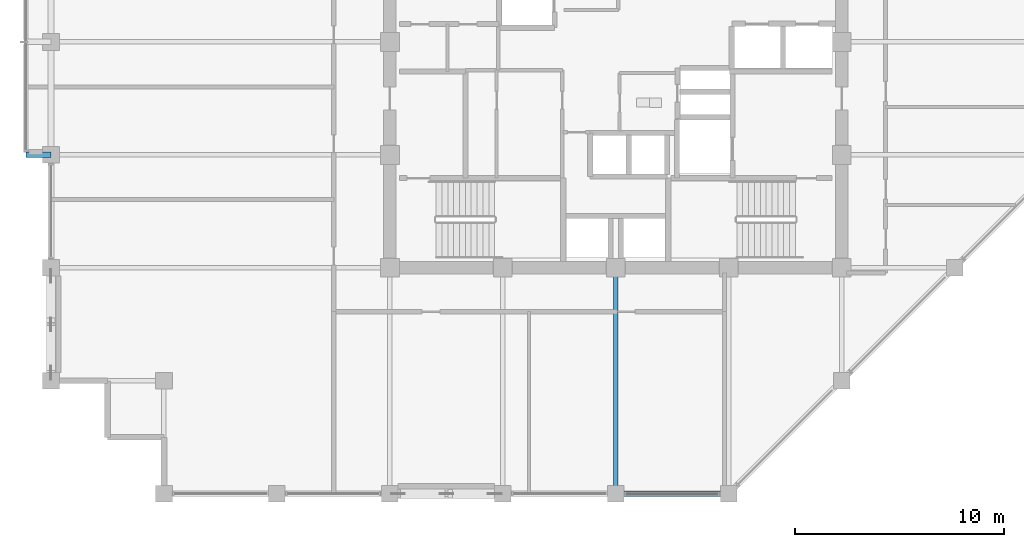
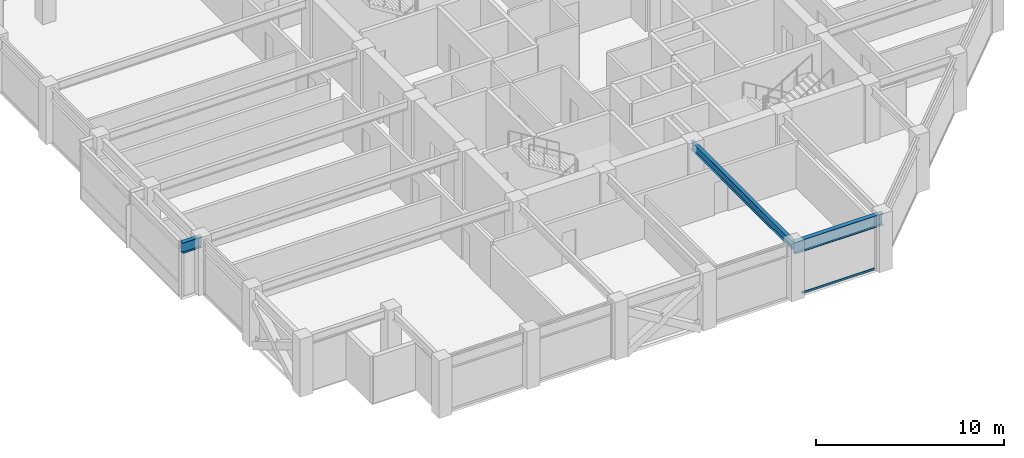
# One storey, part 7 of 32: 3 beams, 1 member, 1 element without a shape of its own.
"""IFC4 building model written with IfcOpenShell, lengths in metres."""

from ifc_helpers import new_model, si_unit, direction, frame, origin, origin_2d, place, context, subcontext, project, spatial, hollow_rectangle, i_section, extrude, material, layer, layer_set, material_profile, profile_set, type_object, element, aggregate, save


model = new_model("IFC4")

# Units and contexts
model_context = context("Model", 3, precision=1e-05, world=origin(), true_north=direction((0.0, 1.0)))
body_context = subcontext(model_context, "Body", "Model", "MODEL_VIEW")
ifc_project = project(units=[si_unit("LENGTHUNIT", "METRE"), si_unit("AREAUNIT", "SQUARE_METRE"), si_unit("VOLUMEUNIT", "CUBIC_METRE"), si_unit("PLANEANGLEUNIT", "RADIAN"), si_unit("MASSUNIT", "GRAM", prefix="KILO")], contexts=[model_context])

# Site, building, storey
site_placement = place(None, origin())
site = spatial("IfcSite", under=ifc_project, at=site_placement, CompositionType="ELEMENT")
building_placement = place(site_placement, origin())
building = spatial("IfcBuilding", under=site, at=building_placement, Name="Surkhivell Harbour Commons", CompositionType="ELEMENT")
storey_placement = place(building_placement, frame((0.0, 0.0, 234.75)))
storey = spatial("IfcBuildingStorey", under=building, at=storey_placement, Name="L61", CompositionType="ELEMENT", Elevation=234.75)

# Beams
ifc_material_1 = material(Name="Steel S460", Category="steel")
ifc_material_profile_1 = material_profile(ifc_material_1, i_section(OverallWidth=0.256103515625, OverallDepth=0.693115234375, WebThickness=0.014404296875, FlangeThickness=0.023681640625, at=origin_2d()), Name="UB686x254x170")
ifc_profile_set_1 = profile_set([ifc_material_profile_1], Name="Steel S460")
beam_type_1 = type_object("IfcBeamType", Name="BM-CNT-686", PredefinedType="BEAM", material=ifc_profile_set_1)
beam_1_placement = place(storey_placement, frame((-27.0, -5.39990234375, 3.223388671875), z_axis=(-1.0, 0.0, 0.0), x_axis=(0.0, -1.0, 0.0)))
element("IfcBeam", 1, at=beam_1_placement, inside=storey, type_object=beam_type_1, Name="L61 Box Cantilever Outrigger (-27.0,-5.4)", PredefinedType="BEAM", context=body_context, shape_type="SweptSolid", body=[
    extrude(i_section(OverallWidth=0.256103515625, OverallDepth=0.693115234375, WebThickness=0.014404296875, FlangeThickness=0.023681640625, at=origin_2d()), origin(), (0.0, 0.0, 1.0), 1.199951171875),
])
ifc_material_2 = material(Name="Steel S355", Category="steel")
ifc_material_profile_2 = material_profile(ifc_material_2, i_section(OverallWidth=0.2119140625, OverallDepth=0.5439453125, WebThickness=0.0126953125, FlangeThickness=0.021240234375, at=origin_2d()), Name="UB533x210x122")
ifc_profile_set_2 = profile_set([ifc_material_profile_2], Name="Steel S355")
beam_type_2 = type_object("IfcBeamType", Name="BM-GRD-533A", PredefinedType="BEAM", material=ifc_profile_set_2)
beam_2_placement = place(storey_placement, frame((0.0, -21.60009765625, 3.298095703125), z_axis=(0.0, 1.0, 0.0), x_axis=(-1.0, 0.0, 0.0)))
element("IfcBeam", 2, at=beam_2_placement, inside=storey, type_object=beam_type_2, Name="L61 Floor Girder (0.0,-21.6)", PredefinedType="BEAM", context=body_context, shape_type="SweptSolid", body=[
    extrude(i_section(OverallWidth=0.2119140625, OverallDepth=0.5439453125, WebThickness=0.0126953125, FlangeThickness=0.021240234375, at=origin_2d()), origin(), (0.0, 0.0, 1.0), 10.800048828125),
])
ifc_material_profile_3 = material_profile(ifc_material_2, i_section(OverallWidth=0.26806640625, OverallDepth=0.77001953125, WebThickness=0.015625, FlangeThickness=0.025390625, at=origin_2d()), Name="UB762x267x197")
ifc_profile_set_3 = profile_set([ifc_material_profile_3], Name="Steel S355")
beam_type_3 = type_object("IfcBeamType", Name="BM-SPN-762", PredefinedType="SPANDREL", material=ifc_profile_set_3)
beam_3_placement = place(storey_placement, frame((0.0, -21.60009765625, 3.18505859375), z_axis=(1.0, 0.0, 0.0), x_axis=(0.0, 1.0, 0.0)))
element("IfcBeam", 3, at=beam_3_placement, inside=storey, type_object=beam_type_3, Name="L61 Tube Spandrel (-0.0,-21.6)", PredefinedType="SPANDREL", context=body_context, shape_type="SweptSolid", body=[
    extrude(i_section(OverallWidth=0.26806640625, OverallDepth=0.77001953125, WebThickness=0.015625, FlangeThickness=0.025390625, at=origin_2d()), origin(), (0.0, 0.0, 1.0), 5.39990234375),
])

# Curtain wall, member
ifc_material_3 = material(Name="Anodised pale-metal aluminium and insulated glazing", Category="aluminium")
ifc_layer = layer(ifc_material_3, 0.18994140625)
ifc_layer_set = layer_set([ifc_layer], Name="Anodised pale-metal aluminium and insulated glazing")
curtain_wall_type = type_object("IfcCurtainWallType", Name="CW-SYS-Z3", PredefinedType="NOTDEFINED", material=ifc_layer_set)
curtain_wall_placement = place(storey_placement, origin())
curtain_wall = element("IfcCurtainWall", 4, at=curtain_wall_placement, inside=storey, type_object=curtain_wall_type, Name="L61 Curtain Wall CW-L61-E00S2", PredefinedType="NOTDEFINED")
ifc_material_4 = material(Name="Champagne anodised aluminium alloy 6063-T6", Category="aluminium")
ifc_material_profile_4 = material_profile(ifc_material_4, hollow_rectangle(XDim=0.070068359375, YDim=0.1298828125, WallThickness=0.00341796875, at=origin_2d()), Name="ALU-TRAN-70x130")
ifc_profile_set_4 = profile_set([ifc_material_profile_4], Name="Champagne anodised aluminium alloy 6063-T6")
member_type = type_object("IfcMemberType", Name="CWT-130", PredefinedType="USERDEFINED", material=ifc_profile_set_4)
member_placement = place(storey_placement, frame((0.47705078125, -21.60009765625, 0.06494140625), z_axis=(1.0, 0.0, 0.0), x_axis=(0.0, 1.0, 0.0)))
member = element("IfcMember", 5, at=member_placement, type_object=member_type, Name="CW-Z3 transom 2.1", ObjectType="TRANSOM", PredefinedType="USERDEFINED", context=body_context, shape_type="SweptSolid", body=[
    extrude(hollow_rectangle(XDim=0.070068359375, YDim=0.1298828125, WallThickness=0.00341796875, at=origin_2d()), origin(), (0.0, 0.0, 1.0), 4.446044921875),
])
aggregate(curtain_wall, [member])

save(model, "model.ifc")
